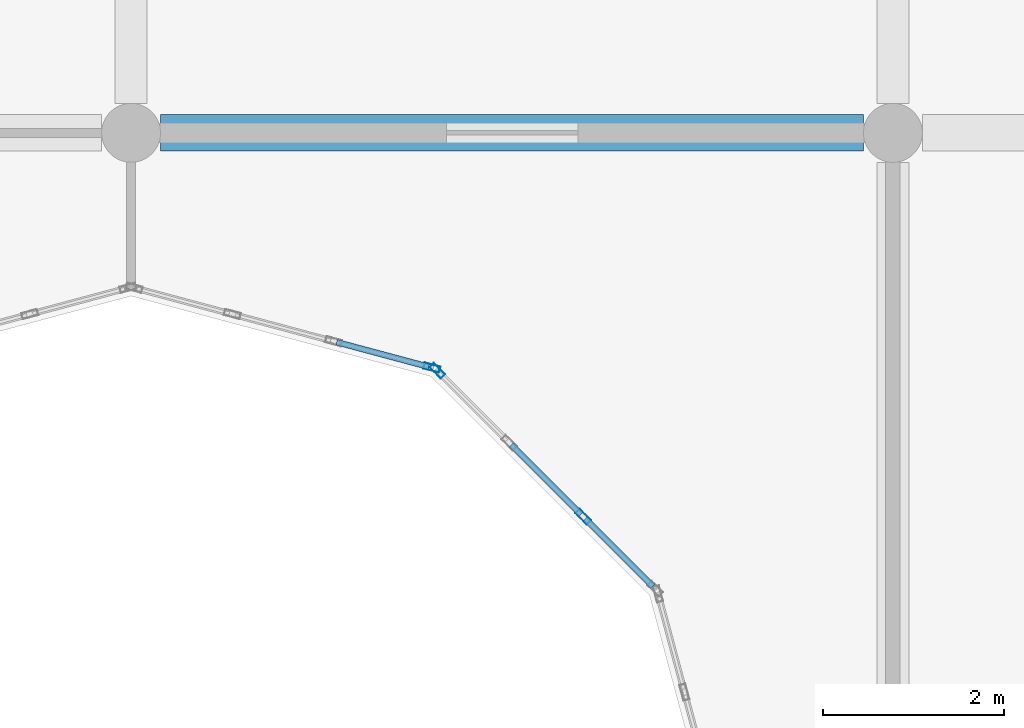
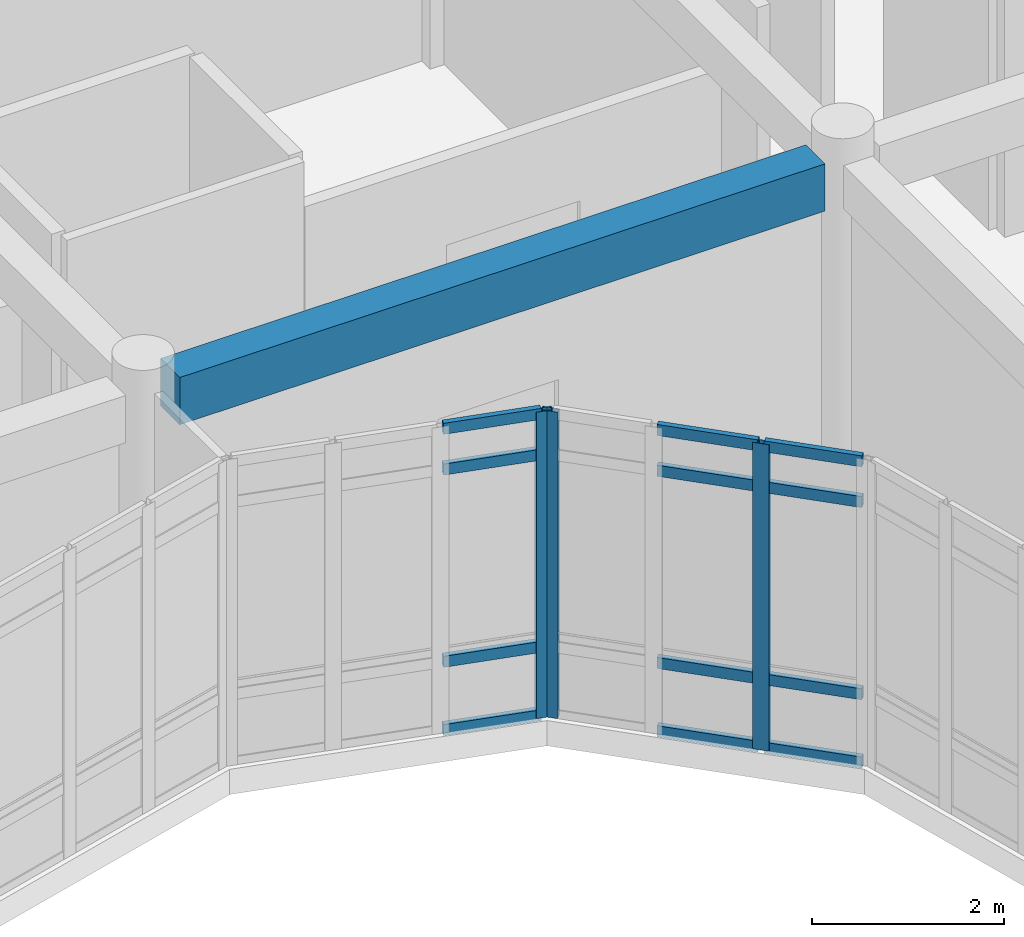
# One storey, part 23 of 119: 15 members, 1 beam, 2 elements without a shape of their own.
"""IFC4 building model written with IfcOpenShell, lengths in metres."""

from ifc_helpers import new_model, si_unit, direction, frame, origin, origin_2d, place, context, subcontext, project, spatial, rectangle, hollow_rectangle, extrude, material, layer, layer_set, material_profile, profile_set, type_object, element, aggregate, save


model = new_model("IFC4")

# Units and contexts
model_context = context("Model", 3, precision=1e-05, world=origin(), true_north=direction((0.0, 1.0)))
body_context = subcontext(model_context, "Body", "Model", "MODEL_VIEW")
ifc_project = project(units=[si_unit("LENGTHUNIT", "METRE"), si_unit("AREAUNIT", "SQUARE_METRE"), si_unit("VOLUMEUNIT", "CUBIC_METRE"), si_unit("PLANEANGLEUNIT", "RADIAN"), si_unit("MASSUNIT", "GRAM", prefix="KILO")], contexts=[model_context])

# Site, building, storey
site_placement = place(None, origin())
site = spatial("IfcSite", under=ifc_project, at=site_placement, CompositionType="ELEMENT")
building_placement = place(site_placement, origin())
building = spatial("IfcBuilding", under=site, at=building_placement, Name="Bramfleet General Hospital", CompositionType="ELEMENT")
storey_placement = place(building_placement, frame((0.0, 0.0, 14.39990234375)))
storey = spatial("IfcBuildingStorey", under=building, at=storey_placement, Name="L03", CompositionType="ELEMENT", Elevation=14.39990234375)

# Beam
ifc_material_1 = material(Name="Concrete C35/45", Category="concrete")
ifc_material_profile_1 = material_profile(ifc_material_1, rectangle(XDim=0.39990234375, YDim=0.60009765625, at=origin_2d()), Name="RC BM 600x400")
ifc_profile_set_1 = profile_set([ifc_material_profile_1], Name="Concrete C35/45")
beam_type = type_object("IfcBeamType", Name="BM-RC600", PredefinedType="BEAM", material=ifc_profile_set_1)
beam_placement = place(storey_placement, frame((25.52490234375, 92.39990234375, 3.590087890625), z_axis=(1.0, 0.0, 0.0), x_axis=(0.0, 1.0, 0.0)))
element("IfcBeam", 1, at=beam_placement, inside=storey, type_object=beam_type, Name="L03 Grid Beam X 03-11", PredefinedType="BEAM", context=body_context, shape_type="SweptSolid", body=[
    extrude(rectangle(XDim=0.39990234375, YDim=0.60009765625, at=origin_2d()), origin(), (0.0, 0.0, 1.0), 7.75),
])

# Curtain wall, members
ifc_material_2 = material(Name="Anodised aluminium and low-E triple glazing", Category="aluminium")
ifc_layer_1 = layer(ifc_material_2, 0.179931640625, Name="CWT-CW-16")
ifc_layer_set_1 = layer_set([ifc_layer_1], Name="Anodised aluminium and low-E triple glazing")
curtain_wall_type_1 = type_object("IfcCurtainWallType", Name="CWT-CW-16", PredefinedType="USERDEFINED", material=ifc_layer_set_1)
curtain_wall_1_placement = place(storey_placement, origin())
curtain_wall_1 = element("IfcCurtainWall", 2, at=curtain_wall_1_placement, inside=storey, type_object=curtain_wall_type_1, Name="L03 West Clinical Light Court Curtain Wall 8.1", ObjectType="Stick curtain wall", PredefinedType="USERDEFINED")
ifc_material_3 = material(Name="Anodised aluminium EN AW-6060", Category="aluminium")
ifc_material_profile_2 = material_profile(ifc_material_3, hollow_rectangle(XDim=0.070068359375, YDim=0.179931640625, WallThickness=0.00390625, at=origin_2d()), Name="ALU 180x70x4.0")
ifc_profile_set_2 = profile_set([ifc_material_profile_2], Name="Anodised aluminium EN AW-6060")
member_type_1 = type_object("IfcMemberType", Name="CWM-ALU180", PredefinedType="MULLION", material=ifc_profile_set_2)
member_1_placement = place(storey_placement, frame((30.1845703125, 88.167236328125, 0.0), z_axis=(0.0, 0.0, 1.0), x_axis=(-0.707106781187, -0.707106781187, 0.0)))
member_1 = element("IfcMember", 3, at=member_1_placement, type_object=member_type_1, Name="CW-16 mullion 2", PredefinedType="MULLION", context=body_context, shape_type="SweptSolid", body=[
    extrude(hollow_rectangle(XDim=0.070068359375, YDim=0.179931640625, WallThickness=0.00390625, at=origin_2d()), origin(), (0.0, 0.0, 1.0), 3.89013671875),
])
member_2_placement = place(storey_placement, frame((28.57470703125, 89.77734375, 0.0), z_axis=(0.0, 0.0, 1.0), x_axis=(-0.707106781187, -0.707106781187, 0.0)))
member_2 = element("IfcMember", 4, at=member_2_placement, type_object=member_type_1, Name="CW-16 mullion 4", PredefinedType="MULLION", context=body_context, shape_type="SweptSolid", body=[
    extrude(hollow_rectangle(XDim=0.070068359375, YDim=0.179931640625, WallThickness=0.00390625, at=origin_2d()), origin(), (0.0, 0.0, 1.0), 3.89013671875),
])

# Curtain wall, member
ifc_layer_2 = layer(ifc_material_2, 0.179931640625, Name="CWT-CW-17")
ifc_layer_set_2 = layer_set([ifc_layer_2], Name="Anodised aluminium and low-E triple glazing")
curtain_wall_type_2 = type_object("IfcCurtainWallType", Name="CWT-CW-17", PredefinedType="USERDEFINED", material=ifc_layer_set_2)
curtain_wall_2_placement = place(storey_placement, origin())
curtain_wall_2 = element("IfcCurtainWall", 5, at=curtain_wall_2_placement, inside=storey, type_object=curtain_wall_type_2, Name="L03 West Clinical Light Court Curtain Wall 9.1", ObjectType="Stick curtain wall", PredefinedType="USERDEFINED")
member_3_placement = place(storey_placement, frame((28.51611328125, 89.81103515625, 0.0), z_axis=(0.0, 0.0, 1.0), x_axis=(-0.25891863407, -0.965899136003, 0.0)))
member_3 = element("IfcMember", 6, at=member_3_placement, type_object=member_type_1, Name="CW-17 mullion 1", PredefinedType="MULLION", context=body_context, shape_type="SweptSolid", body=[
    extrude(hollow_rectangle(XDim=0.070068359375, YDim=0.179931640625, WallThickness=0.00390625, at=origin_2d()), origin(), (0.0, 0.0, 1.0), 3.89013671875),
])

# Member
ifc_material_profile_3 = material_profile(ifc_material_3, hollow_rectangle(XDim=0.06494140625, YDim=0.139892578125, WallThickness=0.00390625, at=origin_2d()), Name="ALU 140x65x4.0")
ifc_profile_set_3 = profile_set([ifc_material_profile_3], Name="Anodised aluminium EN AW-6060")
member_type_2 = type_object("IfcMemberType", Name="CWT-ALU140", PredefinedType="USERDEFINED", material=ifc_profile_set_3)
member_4_placement = place(storey_placement, frame((30.952392578125, 87.3994140625, 0.03271484375), z_axis=(-0.706990604933, 0.707222938356, 0.0), x_axis=(-0.707222938356, -0.706990604933, 0.0)))
member_4 = element("IfcMember", 7, at=member_4_placement, type_object=member_type_2, Name="CW-16 transom 1.1", ObjectType="TRANSOM", PredefinedType="USERDEFINED", context=body_context, shape_type="SweptSolid", body=[
    extrude(hollow_rectangle(XDim=0.06494140625, YDim=0.139892578125, WallThickness=0.00390625, at=origin_2d()), origin(), (0.0, 0.0, 1.0), 1.05078125),
])

member_5_placement = place(storey_placement, frame((30.952392578125, 87.3994140625, 0.900146484375), z_axis=(-0.706990604933, 0.707222938356, 0.0), x_axis=(-0.707222938356, -0.706990604933, 0.0)))
member_5 = element("IfcMember", 8, at=member_5_placement, type_object=member_type_2, Name="CW-16 transom 1.2", ObjectType="TRANSOM", PredefinedType="USERDEFINED", context=body_context, shape_type="SweptSolid", body=[
    extrude(hollow_rectangle(XDim=0.06494140625, YDim=0.139892578125, WallThickness=0.00390625, at=origin_2d()), origin(), (0.0, 0.0, 1.0), 1.05078125),
])

member_6_placement = place(storey_placement, frame((30.952392578125, 87.3994140625, 3.340087890625), z_axis=(-0.706990604933, 0.707222938356, 0.0), x_axis=(-0.707222938356, -0.706990604933, 0.0)))
member_6 = element("IfcMember", 9, at=member_6_placement, type_object=member_type_2, Name="CW-16 transom 1.3", ObjectType="TRANSOM", PredefinedType="USERDEFINED", context=body_context, shape_type="SweptSolid", body=[
    extrude(hollow_rectangle(XDim=0.06494140625, YDim=0.139892578125, WallThickness=0.00390625, at=origin_2d()), origin(), (0.0, 0.0, 1.0), 1.05078125),
])

member_7_placement = place(storey_placement, frame((30.952392578125, 87.3994140625, 3.857666015625), z_axis=(-0.706990604933, 0.707222938356, 0.0), x_axis=(-0.707222938356, -0.706990604933, 0.0)))
member_7 = element("IfcMember", 10, at=member_7_placement, type_object=member_type_2, Name="CW-16 transom 1.4", ObjectType="TRANSOM", PredefinedType="USERDEFINED", context=body_context, shape_type="SweptSolid", body=[
    extrude(hollow_rectangle(XDim=0.06494140625, YDim=0.139892578125, WallThickness=0.00390625, at=origin_2d()), origin(), (0.0, 0.0, 1.0), 1.05078125),
])

member_8_placement = place(storey_placement, frame((30.159912109375, 88.192138671875, 0.03271484375), z_axis=(-0.707106781187, 0.707106781187, 0.0), x_axis=(-0.707106781187, -0.707106781187, 0.0)))
member_8 = element("IfcMember", 11, at=member_8_placement, type_object=member_type_2, Name="CW-16 transom 2.1", ObjectType="TRANSOM", PredefinedType="USERDEFINED", context=body_context, shape_type="SweptSolid", body=[
    extrude(hollow_rectangle(XDim=0.06494140625, YDim=0.139892578125, WallThickness=0.00390625, at=origin_2d()), origin(), (0.0, 0.0, 1.0), 1.0859375),
])

member_9_placement = place(storey_placement, frame((30.159912109375, 88.192138671875, 0.900146484375), z_axis=(-0.707106781187, 0.707106781187, 0.0), x_axis=(-0.707106781187, -0.707106781187, 0.0)))
member_9 = element("IfcMember", 12, at=member_9_placement, type_object=member_type_2, Name="CW-16 transom 2.2", ObjectType="TRANSOM", PredefinedType="USERDEFINED", context=body_context, shape_type="SweptSolid", body=[
    extrude(hollow_rectangle(XDim=0.06494140625, YDim=0.139892578125, WallThickness=0.00390625, at=origin_2d()), origin(), (0.0, 0.0, 1.0), 1.0859375),
])

member_10_placement = place(storey_placement, frame((30.159912109375, 88.192138671875, 3.340087890625), z_axis=(-0.707106781187, 0.707106781187, 0.0), x_axis=(-0.707106781187, -0.707106781187, 0.0)))
member_10 = element("IfcMember", 13, at=member_10_placement, type_object=member_type_2, Name="CW-16 transom 2.3", ObjectType="TRANSOM", PredefinedType="USERDEFINED", context=body_context, shape_type="SweptSolid", body=[
    extrude(hollow_rectangle(XDim=0.06494140625, YDim=0.139892578125, WallThickness=0.00390625, at=origin_2d()), origin(), (0.0, 0.0, 1.0), 1.0859375),
])

member_11_placement = place(storey_placement, frame((30.159912109375, 88.192138671875, 3.857666015625), z_axis=(-0.707106781187, 0.707106781187, 0.0), x_axis=(-0.707106781187, -0.707106781187, 0.0)))
member_11 = element("IfcMember", 14, at=member_11_placement, type_object=member_type_2, Name="CW-16 transom 2.4", ObjectType="TRANSOM", PredefinedType="USERDEFINED", context=body_context, shape_type="SweptSolid", body=[
    extrude(hollow_rectangle(XDim=0.06494140625, YDim=0.139892578125, WallThickness=0.00390625, at=origin_2d()), origin(), (0.0, 0.0, 1.0), 1.0859375),
])

aggregate(curtain_wall_1, [member_1, member_2, member_4, member_5, member_6, member_7, member_8, member_9, member_10, member_11])

member_12_placement = place(storey_placement, frame((28.482421875, 89.820068359375, 0.03271484375), z_axis=(-0.965891021523, 0.258948903342, 0.0), x_axis=(-0.258948903342, -0.965891021523, 0.0)))
member_12 = element("IfcMember", 15, at=member_12_placement, type_object=member_type_2, Name="CW-17 transom 1.1", ObjectType="TRANSOM", PredefinedType="USERDEFINED", context=body_context, shape_type="SweptSolid", body=[
    extrude(hollow_rectangle(XDim=0.06494140625, YDim=0.139892578125, WallThickness=0.00390625, at=origin_2d()), origin(), (0.0, 0.0, 1.0), 1.05126953125),
])

member_13_placement = place(storey_placement, frame((28.482421875, 89.820068359375, 0.900146484375), z_axis=(-0.965891021523, 0.258948903342, 0.0), x_axis=(-0.258948903342, -0.965891021523, 0.0)))
member_13 = element("IfcMember", 16, at=member_13_placement, type_object=member_type_2, Name="CW-17 transom 1.2", ObjectType="TRANSOM", PredefinedType="USERDEFINED", context=body_context, shape_type="SweptSolid", body=[
    extrude(hollow_rectangle(XDim=0.06494140625, YDim=0.139892578125, WallThickness=0.00390625, at=origin_2d()), origin(), (0.0, 0.0, 1.0), 1.05126953125),
])

member_14_placement = place(storey_placement, frame((28.482421875, 89.820068359375, 3.340087890625), z_axis=(-0.965891021523, 0.258948903342, 0.0), x_axis=(-0.258948903342, -0.965891021523, 0.0)))
member_14 = element("IfcMember", 17, at=member_14_placement, type_object=member_type_2, Name="CW-17 transom 1.3", ObjectType="TRANSOM", PredefinedType="USERDEFINED", context=body_context, shape_type="SweptSolid", body=[
    extrude(hollow_rectangle(XDim=0.06494140625, YDim=0.139892578125, WallThickness=0.00390625, at=origin_2d()), origin(), (0.0, 0.0, 1.0), 1.05126953125),
])

member_15_placement = place(storey_placement, frame((28.482421875, 89.820068359375, 3.857666015625), z_axis=(-0.965891021523, 0.258948903342, 0.0), x_axis=(-0.258948903342, -0.965891021523, 0.0)))
member_15 = element("IfcMember", 18, at=member_15_placement, type_object=member_type_2, Name="CW-17 transom 1.4", ObjectType="TRANSOM", PredefinedType="USERDEFINED", context=body_context, shape_type="SweptSolid", body=[
    extrude(hollow_rectangle(XDim=0.06494140625, YDim=0.139892578125, WallThickness=0.00390625, at=origin_2d()), origin(), (0.0, 0.0, 1.0), 1.05126953125),
])

aggregate(curtain_wall_2, [member_3, member_12, member_13, member_14, member_15])

save(model, "model.ifc")
